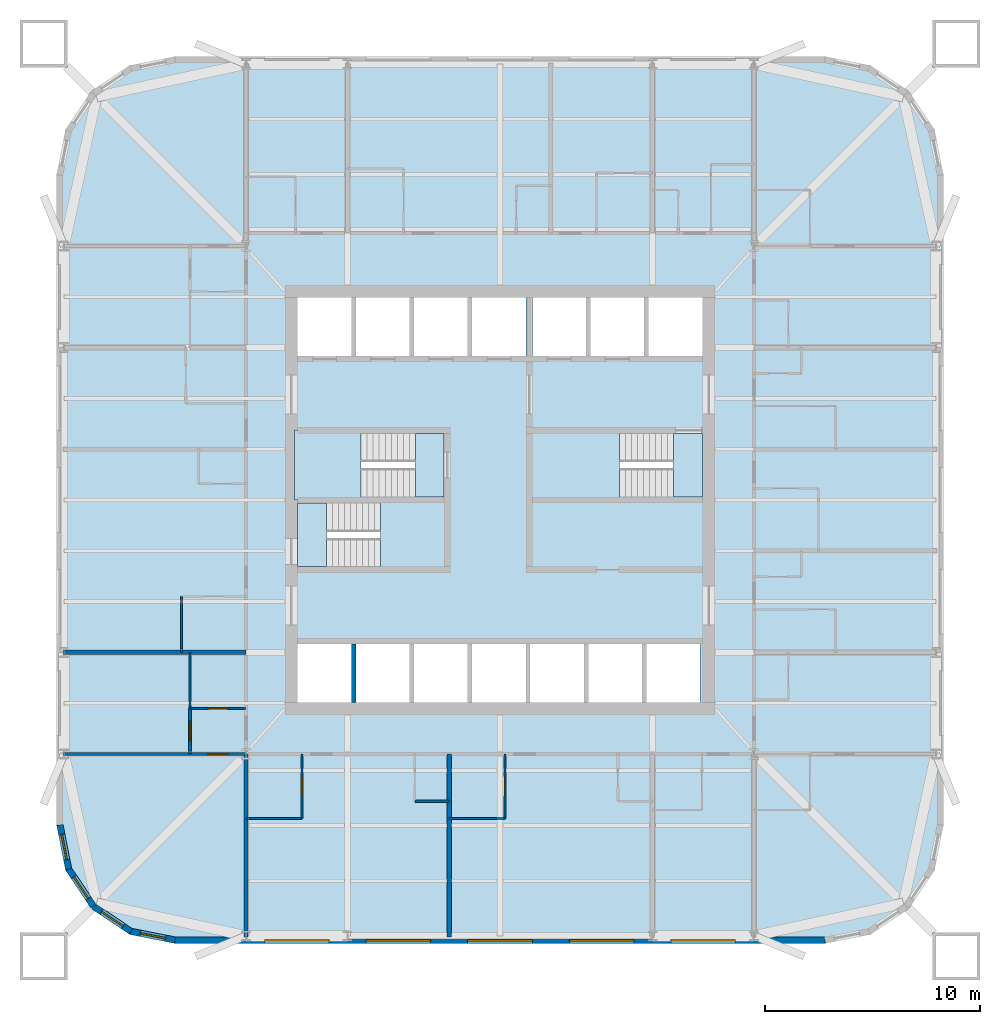
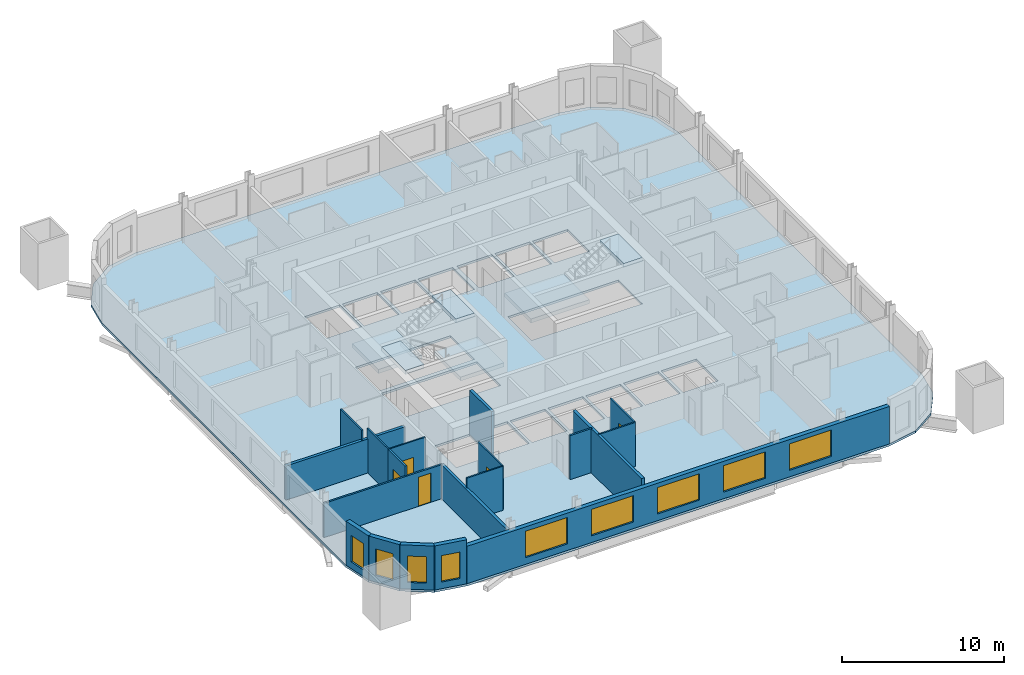
# One storey, part 2 of 8: 19 walls, 9 windows, 7 slabs, 5 doors, 14 openings, 3 elements without a shape of their own.
"""IFC4 building model written with IfcOpenShell, lengths in metres."""

from ifc_helpers import new_model, si_unit, direction, frame, frame_2d, origin, place, context, subcontext, project, spatial, polyline, rectangle, outline, extrude, material, layer, layer_set, type_object, element, fill, aggregate, save


model = new_model("IFC4")

# Units and contexts
model_context = context("Model", 3, precision=1e-05, world=origin(), true_north=direction((0.0, 1.0)))
body_context = subcontext(model_context, "Body", "Model", "MODEL_VIEW")
ifc_project = project(units=[si_unit("LENGTHUNIT", "METRE"), si_unit("AREAUNIT", "SQUARE_METRE"), si_unit("VOLUMEUNIT", "CUBIC_METRE"), si_unit("PLANEANGLEUNIT", "RADIAN"), si_unit("MASSUNIT", "GRAM", prefix="KILO")], contexts=[model_context])

# Site, building, storey
site_placement = place(None, origin())
site = spatial("IfcSite", under=ifc_project, at=site_placement, CompositionType="ELEMENT")
building_placement = place(site_placement, origin())
building = spatial("IfcBuilding", under=site, at=building_placement, Name="Turquesa Mirador Hotel Tower", CompositionType="ELEMENT")
storey_placement = place(building_placement, frame((0.0, 0.0, 103.89990234375)))
storey = spatial("IfcBuildingStorey", under=building, at=storey_placement, Name="L27", CompositionType="ELEMENT", Elevation=103.89990234375)

# Slab
ifc_material_1 = material(Name="Concrete C28/35", Category="concrete")
ifc_layer_1 = layer(ifc_material_1, 0.169921875)
ifc_layer_set_1 = layer_set([ifc_layer_1], Name="COMPOSITE FLOOR SLAB 170")
slab_type_1 = type_object("IfcSlabType", Name="COMPOSITE FLOOR SLAB 170", PredefinedType="FLOOR", material=ifc_layer_set_1)
slab_1_placement = place(storey_placement, frame((0.0, 0.0, -0.169921875)))
element("IfcSlab", 1, at=slab_1_placement, inside=storey, type_object=slab_type_1, Name="Floor slab L27", PredefinedType="FLOOR", context=body_context, shape_type="SweptSolid", body=[
    extrude(outline(polyline([(70.10009765625, 24.39990234375), (72.204833984375, 24.818603515625), (73.989013671875, 26.010986328125), (75.181396484375, 27.795166015625), (75.60009765625, 29.89990234375), (75.60009765625, 60.10009765625), (75.181396484375, 62.204833984375), (73.989013671875, 63.989013671875), (72.204833984375, 65.181396484375), (70.10009765625, 65.60009765625), (39.89990234375, 65.60009765625), (37.795166015625, 65.181396484375), (36.010986328125, 63.989013671875), (34.818603515625, 62.204833984375), (34.39990234375, 60.10009765625), (34.39990234375, 29.89990234375), (34.818603515625, 27.795166015625), (36.010986328125, 26.010986328125), (37.795166015625, 24.818603515625), (39.89990234375, 24.39990234375), (70.10009765625, 24.39990234375)]), holes=[polyline([(45.60009765625, 51.699951171875), (48.10009765625, 51.699951171875), (48.10009765625, 54.39990234375), (45.60009765625, 54.39990234375), (45.60009765625, 51.699951171875)]), polyline([(48.300048828125, 51.699951171875), (50.800048828125, 51.699951171875), (50.800048828125, 54.39990234375), (48.300048828125, 54.39990234375), (48.300048828125, 51.699951171875)]), polyline([(51.0, 51.699951171875), (53.5, 51.699951171875), (53.5, 54.39990234375), (51.0, 54.39990234375), (51.0, 51.699951171875)]), polyline([(53.699951171875, 51.699951171875), (56.199951171875, 51.699951171875), (56.199951171875, 54.39990234375), (53.699951171875, 54.39990234375), (53.699951171875, 51.699951171875)]), polyline([(56.5, 51.699951171875), (59.0, 51.699951171875), (59.0, 54.39990234375), (56.5, 54.39990234375), (56.5, 51.699951171875)]), polyline([(59.199951171875, 51.699951171875), (61.699951171875, 51.699951171875), (61.699951171875, 54.39990234375), (59.199951171875, 54.39990234375), (59.199951171875, 51.699951171875)]), polyline([(45.60009765625, 35.60009765625), (48.10009765625, 35.60009765625), (48.10009765625, 38.300048828125), (45.60009765625, 38.300048828125), (45.60009765625, 35.60009765625)]), polyline([(48.300048828125, 35.60009765625), (50.800048828125, 35.60009765625), (50.800048828125, 38.300048828125), (48.300048828125, 38.300048828125), (48.300048828125, 35.60009765625)]), polyline([(51.0, 35.60009765625), (53.5, 35.60009765625), (53.5, 38.300048828125), (51.0, 38.300048828125), (51.0, 35.60009765625)]), polyline([(53.699951171875, 35.60009765625), (56.199951171875, 35.60009765625), (56.199951171875, 38.300048828125), (53.699951171875, 38.300048828125), (53.699951171875, 35.60009765625)]), polyline([(56.39990234375, 35.60009765625), (58.89990234375, 35.60009765625), (58.89990234375, 38.300048828125), (56.39990234375, 38.300048828125), (56.39990234375, 35.60009765625)]), polyline([(59.10009765625, 35.60009765625), (61.60009765625, 35.60009765625), (61.60009765625, 38.300048828125), (59.10009765625, 38.300048828125), (59.10009765625, 35.60009765625)]), polyline([(61.800048828125, 35.60009765625), (64.300048828125, 35.60009765625), (64.300048828125, 38.300048828125), (61.800048828125, 38.300048828125), (61.800048828125, 35.60009765625)]), polyline([(45.60009765625, 45.14990234375), (52.39990234375, 45.14990234375), (52.39990234375, 48.10009765625), (45.60009765625, 48.10009765625), (45.60009765625, 45.14990234375)]), polyline([(45.60009765625, 41.89990234375), (52.39990234375, 41.89990234375), (52.39990234375, 44.85009765625), (45.60009765625, 44.85009765625), (45.60009765625, 41.89990234375)]), polyline([(56.5, 45.14990234375), (64.39990234375, 45.14990234375), (64.39990234375, 48.10009765625), (56.5, 48.10009765625), (56.5, 45.14990234375)]), polyline([(61.89990234375, 51.699951171875), (64.39990234375, 51.699951171875), (64.39990234375, 54.39990234375), (61.89990234375, 54.39990234375), (61.89990234375, 51.699951171875)])]), origin(), (0.0, 0.0, 1.0), 0.169921875),
])

# Stair, slabs
ifc_material_2 = material(Name="Concrete C35/45", Category="concrete")
stair_type = type_object("IfcStairType", Name="ESCAPE STAIR CORE", PredefinedType="HALF_TURN_STAIR", material=ifc_material_2)
stair_1_placement = place(storey_placement, origin())
stair_1 = element("IfcStair", 2, at=stair_1_placement, inside=storey, type_object=stair_type, Name="Stair ST1 L27 to L28", PredefinedType="HALF_TURN_STAIR")
ifc_material_3 = material(Name="Concrete C35/45", Category="concrete")
ifc_layer_2 = layer(ifc_material_3, 0.300048828125)
ifc_layer_set_2 = layer_set([ifc_layer_2], Name="STAIR LANDING 300")
slab_type_2 = type_object("IfcSlabType", Name="STAIR LANDING 300", PredefinedType="LANDING", material=ifc_layer_set_2)
slab_2_placement = place(storey_placement, frame((0.0, 0.0, 1.4501953125)))
slab_2 = element("IfcSlab", 3, at=slab_2_placement, type_object=slab_type_2, Name="ST1 landing 1", PredefinedType="LANDING", context=body_context, shape_type="SweptSolid", body=[
    extrude(outline(polyline([(45.449951171875, 45.0), (48.550048828125, 45.0), (48.550048828125, 48.25), (45.449951171875, 48.25), (45.449951171875, 45.0)])), origin(), (0.0, 0.0, 1.0), 0.2998046875),
])
slab_3_placement = place(storey_placement, frame((0.0, 0.0, 3.2001953125)))
slab_3 = element("IfcSlab", 4, at=slab_3_placement, type_object=slab_type_2, Name="ST1 landing 2", PredefinedType="LANDING", context=body_context, shape_type="SweptSolid", body=[
    extrude(outline(polyline([(51.070068359375, 45.14990234375), (52.39990234375, 45.14990234375), (52.39990234375, 48.10009765625), (51.070068359375, 48.10009765625), (51.070068359375, 45.14990234375)])), origin(), (0.0, 0.0, 1.0), 0.2998046875),
])
aggregate(stair_1, [slab_2, slab_3])

stair_2_placement = place(storey_placement, origin())
stair_2 = element("IfcStair", 5, at=stair_2_placement, inside=storey, type_object=stair_type, Name="Stair ST2 L27 to L28", PredefinedType="HALF_TURN_STAIR")
slab_4_placement = place(storey_placement, frame((0.0, 0.0, 1.4501953125)))
slab_4 = element("IfcSlab", 6, at=slab_4_placement, type_object=slab_type_2, Name="ST2 landing 1", PredefinedType="LANDING", context=body_context, shape_type="SweptSolid", body=[
    extrude(outline(polyline([(52.550048828125, 45.0), (49.449951171875, 45.0), (49.449951171875, 41.75), (52.550048828125, 41.75), (52.550048828125, 45.0)])), origin(), (0.0, 0.0, 1.0), 0.2998046875),
])
slab_5_placement = place(storey_placement, frame((0.0, 0.0, 3.2001953125)))
slab_5 = element("IfcSlab", 7, at=slab_5_placement, type_object=slab_type_2, Name="ST2 landing 2", PredefinedType="LANDING", context=body_context, shape_type="SweptSolid", body=[
    extrude(outline(polyline([(46.929931640625, 44.85009765625), (45.60009765625, 44.85009765625), (45.60009765625, 41.89990234375), (46.929931640625, 41.89990234375), (46.929931640625, 44.85009765625)])), origin(), (0.0, 0.0, 1.0), 0.2998046875),
])
aggregate(stair_2, [slab_4, slab_5])

stair_3_placement = place(storey_placement, origin())
stair_3 = element("IfcStair", 8, at=stair_3_placement, inside=storey, type_object=stair_type, Name="Stair ST3 L27 to L28", PredefinedType="HALF_TURN_STAIR")
slab_6_placement = place(storey_placement, frame((0.0, 0.0, 1.4501953125)))
slab_6 = element("IfcSlab", 9, at=slab_6_placement, type_object=slab_type_2, Name="ST3 landing 1", PredefinedType="LANDING", context=body_context, shape_type="SweptSolid", body=[
    extrude(outline(polyline([(56.35009765625, 45.0), (60.550048828125, 45.0), (60.550048828125, 48.25), (56.35009765625, 48.25), (56.35009765625, 45.0)])), origin(), (0.0, 0.0, 1.0), 0.2998046875),
])
slab_7_placement = place(storey_placement, frame((0.0, 0.0, 3.2001953125)))
slab_7 = element("IfcSlab", 10, at=slab_7_placement, type_object=slab_type_2, Name="ST3 landing 2", PredefinedType="LANDING", context=body_context, shape_type="SweptSolid", body=[
    extrude(outline(polyline([(63.070068359375, 45.14990234375), (64.39990234375, 45.14990234375), (64.39990234375, 48.10009765625), (63.070068359375, 48.10009765625), (63.070068359375, 45.14990234375)])), origin(), (0.0, 0.0, 1.0), 0.2998046875),
])
aggregate(stair_3, [slab_6, slab_7])

# Walls
ifc_material_4 = material(Name="Gypsum board on steel studs", Category="steel")
ifc_layer_3 = layer(ifc_material_4, 0.10009765625)
ifc_layer_set_3 = layer_set([ifc_layer_3], Name="BATHROOM WALL 100")
wall_type_1 = type_object("IfcWallType", Name="BATHROOM WALL 100", PredefinedType="PARTITIONING", material=ifc_layer_set_3)
for number, where, z_axis, x_axis, name in (
    (11, (43.199951171875, 30.199951171875, 0.0), (0.0, 0.0, 1.0), (1.0, 0.0, 0.0), "Partition L27 009"),
    (12, (52.639892578125, 30.199951171875, 0.0), (0.0, 0.0, 1.0), (1.0, 0.0, 0.0), "Partition L27 010"),
):
    element("IfcWall", number, at=place(storey_placement, frame(where, z_axis=z_axis, x_axis=x_axis)), inside=storey, type_object=wall_type_1, Name=name, PredefinedType="PARTITIONING", context=body_context, shape_type="SweptSolid", body=[
        extrude(rectangle(XDim=2.60009765625, YDim=0.10009765625, at=frame_2d((1.300048828125, 0.0))), origin(), (0.0, 0.0, 1.0), 3.330078125),
    ])

# Wall, opening, door
wall_1_placement = place(storey_placement, frame((40.60009765625, 35.320068359375, 0.0), z_axis=(0.0, 0.0, 1.0), x_axis=(1.0, 0.0, 0.0)))
wall_1 = element("IfcWall", 13, at=wall_1_placement, inside=storey, type_object=wall_type_1, Name="Partition L27 018", PredefinedType="PARTITIONING", context=body_context, shape_type="SweptSolid", body=[
    extrude(rectangle(XDim=2.599853515625, YDim=0.10009765625, at=frame_2d((1.2998046875, 0.0))), origin(), (0.0, 0.0, 1.0), 3.330078125),
])
opening_1_placement = place(wall_1_placement, frame((0.85009765625, 0.0, 0.0)))
opening_1 = element("IfcOpeningElement", 14, at=opening_1_placement, cuts=wall_1, Name="Opening D02", PredefinedType="OPENING", context=body_context, shape_type="SweptSolid", body=[
    extrude(rectangle(XDim=0.89990234375, YDim=2.10009765625, at=frame_2d((0.449951171875, 1.050048828125))), frame((0.0, 0.06005859375, 0.0), z_axis=(0.0, -1.0, 0.0), x_axis=(1.0, 0.0, 0.0)), (0.0, 0.0, 1.0), 0.1201171875),
])
ifc_material_5 = material(Name="Timber veneered door", Category="wood")
door_type_1 = type_object("IfcDoorType", Name="DOOR 900X2100 EN-SUITE", OperationType="SINGLE_SWING_RIGHT", PredefinedType="DOOR", material=ifc_material_5)
door_1_placement = place(opening_1_placement, origin())
door_1 = element("IfcDoor", 15, at=door_1_placement, inside=storey, type_object=door_type_1, Name="Door 2715B", OperationType="SINGLE_SWING_RIGHT", OverallHeight=2.10009765625, OverallWidth=0.89990234375, PredefinedType="DOOR", context=body_context, shape_type="SweptSolid", body=[
    extrude(rectangle(XDim=0.89990234375, YDim=2.10009765625, at=frame_2d((0.449951171875, 1.050048828125))), frame((0.0, 0.02490234375, 0.0), z_axis=(0.0, -1.0, 0.0), x_axis=(1.0, 0.0, 0.0)), (0.0, 0.0, 1.0), 0.050048828125),
])
fill(opening_1, door_1)

# Walls
wall_2_placement = place(storey_placement, frame((40.60009765625, 35.320068359375, 0.0), z_axis=(0.0, 0.0, 1.0), x_axis=(0.0, 1.0, 0.0)))
element("IfcWall", 16, at=wall_2_placement, inside=storey, type_object=wall_type_1, Name="Partition L27 046", PredefinedType="PARTITIONING", context=body_context, shape_type="SweptSolid", body=[
    extrude(rectangle(XDim=2.599853515625, YDim=0.10009765625, at=frame_2d((1.2998046875, 0.0))), origin(), (0.0, 0.0, 1.0), 3.330078125),
])
wall_3_placement = place(storey_placement, frame((40.199951171875, 37.919921875, 0.0), z_axis=(0.0, 0.0, 1.0), x_axis=(0.0, 1.0, 0.0)))
element("IfcWall", 17, at=wall_3_placement, inside=storey, type_object=wall_type_1, Name="Partition L27 051", PredefinedType="PARTITIONING", context=body_context, shape_type="SweptSolid", body=[
    extrude(rectangle(XDim=2.60009765625, YDim=0.10009765625, at=frame_2d((1.300048828125, 0.0))), origin(), (0.0, 0.0, 1.0), 3.330078125),
])

# Wall, opening, door
wall_4_placement = place(storey_placement, frame((45.800048828125, 30.199951171875, 0.0), z_axis=(0.0, 0.0, 1.0), x_axis=(0.0, 1.0, 0.0)))
wall_4 = element("IfcWall", 18, at=wall_4_placement, inside=storey, type_object=wall_type_1, Name="Partition L27 056", PredefinedType="PARTITIONING", context=body_context, shape_type="SweptSolid", body=[
    extrude(rectangle(XDim=3.0, YDim=0.10009765625, at=frame_2d((1.5, 0.0))), origin(), (0.0, 0.0, 1.0), 3.330078125),
])
opening_2_placement = place(wall_4_placement, frame((1.050048828125, 0.0, 0.0)))
opening_2 = element("IfcOpeningElement", 19, at=opening_2_placement, cuts=wall_4, Name="Opening D02", PredefinedType="OPENING", context=body_context, shape_type="SweptSolid", body=[
    extrude(rectangle(XDim=0.89990234375, YDim=2.10009765625, at=frame_2d((0.449951171875, 1.050048828125))), frame((0.0, 0.06005859375, 0.0), z_axis=(0.0, -1.0, 0.0), x_axis=(1.0, 0.0, 0.0)), (0.0, 0.0, 1.0), 0.1201171875),
])
door_2_placement = place(opening_2_placement, origin())
door_2 = element("IfcDoor", 20, at=door_2_placement, inside=storey, type_object=door_type_1, Name="Door 2705B", OperationType="SINGLE_SWING_RIGHT", OverallHeight=2.10009765625, OverallWidth=0.89990234375, PredefinedType="DOOR", context=body_context, shape_type="SweptSolid", body=[
    extrude(rectangle(XDim=0.89990234375, YDim=2.10009765625, at=frame_2d((0.449951171875, 1.050048828125))), frame((0.0, 0.02490234375, 0.0), z_axis=(0.0, -1.0, 0.0), x_axis=(1.0, 0.0, 0.0)), (0.0, 0.0, 1.0), 0.050048828125),
])
fill(opening_2, door_2)

wall_5_placement = place(storey_placement, frame((55.239990234375, 30.199951171875, 0.0), z_axis=(0.0, 0.0, 1.0), x_axis=(0.0, 1.0, 0.0)))
wall_5 = element("IfcWall", 21, at=wall_5_placement, inside=storey, type_object=wall_type_1, Name="Partition L27 058", PredefinedType="PARTITIONING", context=body_context, shape_type="SweptSolid", body=[
    extrude(rectangle(XDim=3.0, YDim=0.10009765625, at=frame_2d((1.5, 0.0))), origin(), (0.0, 0.0, 1.0), 3.330078125),
])
opening_3_placement = place(wall_5_placement, frame((1.050048828125, 0.0, 0.0)))
opening_3 = element("IfcOpeningElement", 22, at=opening_3_placement, cuts=wall_5, Name="Opening D02", PredefinedType="OPENING", context=body_context, shape_type="SweptSolid", body=[
    extrude(rectangle(XDim=0.89990234375, YDim=2.10009765625, at=frame_2d((0.449951171875, 1.050048828125))), frame((0.0, 0.06005859375, 0.0), z_axis=(0.0, -1.0, 0.0), x_axis=(1.0, 0.0, 0.0)), (0.0, 0.0, 1.0), 0.1201171875),
])
door_3_placement = place(opening_3_placement, origin())
door_3 = element("IfcDoor", 23, at=door_3_placement, inside=storey, type_object=door_type_1, Name="Door 2706B", OperationType="SINGLE_SWING_RIGHT", OverallHeight=2.10009765625, OverallWidth=0.89990234375, PredefinedType="DOOR", context=body_context, shape_type="SweptSolid", body=[
    extrude(rectangle(XDim=0.89990234375, YDim=2.10009765625, at=frame_2d((0.449951171875, 1.050048828125))), frame((0.0, 0.02490234375, 0.0), z_axis=(0.0, -1.0, 0.0), x_axis=(1.0, 0.0, 0.0)), (0.0, 0.0, 1.0), 0.050048828125),
])
fill(opening_3, door_3)

# Wall, opening, window
ifc_material_6 = material(Name="Limestone cladding on concrete block", Category="masonry")
ifc_layer_4 = layer(ifc_material_6, 0.300048828125)
ifc_layer_set_4 = layer_set([ifc_layer_4], Name="FACADE WALL 300 STONE SCREEN")
wall_type_2 = type_object("IfcWallType", Name="FACADE WALL 300 STONE SCREEN", PredefinedType="SOLIDWALL", material=ifc_layer_set_4)
wall_6_placement = place(storey_placement, frame((34.550048828125, 29.89990234375, 0.0), z_axis=(0.0, 0.0, 1.0), x_axis=(0.195081421501, -0.980787050784, 0.0)))
wall_6 = element("IfcWall", 24, at=wall_6_placement, inside=storey, type_object=wall_type_2, Name="Facade wall L27 15", PredefinedType="SOLIDWALL", context=body_context, shape_type="SweptSolid", body=[
    extrude(rectangle(XDim=2.08740234375, YDim=0.300048828125, at=frame_2d((1.043701171875, 0.0))), origin(), (0.0, 0.0, 1.0), 3.330078125),
])
opening_4_placement = place(wall_6_placement, frame((0.443603515625, 0.0, 0.5)))
opening_4 = element("IfcOpeningElement", 25, at=opening_4_placement, cuts=wall_6, Name="Opening WN4", PredefinedType="OPENING", context=body_context, shape_type="SweptSolid", body=[
    extrude(rectangle(XDim=1.199951171875, YDim=2.0, at=frame_2d((0.60009765625, 1.0))), frame((0.0, 0.159912109375, 0.0), z_axis=(0.0, -1.0, 0.0), x_axis=(1.0, 0.0, 0.0)), (0.0, 0.0, 1.0), 0.320068359375),
])
ifc_material_7 = material(Name="Ceramic-fritted laminated glass", Category="glass")
window_type_1 = type_object("IfcWindowType", Name="FRITTED CORNER WINDOW 1200X2000", PartitioningType="DOUBLE_PANEL_HORIZONTAL", PredefinedType="WINDOW", material=ifc_material_7)
window_1_placement = place(opening_4_placement, origin())
window_1 = element("IfcWindow", 26, at=window_1_placement, inside=storey, type_object=window_type_1, Name="Window L27", OverallHeight=2.0, OverallWidth=1.199951171875, PartitioningType="SINGLE_PANEL", PredefinedType="WINDOW", context=body_context, shape_type="SweptSolid", body=[
    extrude(rectangle(XDim=1.199951171875, YDim=2.0, at=frame_2d((0.60009765625, 1.0))), frame((0.0, 0.030029296875, 0.0), z_axis=(0.0, -1.0, 0.0), x_axis=(1.0, 0.0, 0.0)), (0.0, 0.0, 1.0), 0.06005859375),
])
fill(opening_4, window_1)

wall_7_placement = place(storey_placement, frame((34.957275390625, 27.8525390625, 0.0), z_axis=(0.0, 0.0, 1.0), x_axis=(0.555563607591, -0.831474039234, 0.0)))
wall_7 = element("IfcWall", 27, at=wall_7_placement, inside=storey, type_object=wall_type_2, Name="Facade wall L27 16", PredefinedType="SOLIDWALL", context=body_context, shape_type="SweptSolid", body=[
    extrude(rectangle(XDim=2.08740234375, YDim=0.300048828125, at=frame_2d((1.043701171875, 0.0))), origin(), (0.0, 0.0, 1.0), 3.330078125),
])
opening_5_placement = place(wall_7_placement, frame((0.443603515625, 0.0, 0.5)))
opening_5 = element("IfcOpeningElement", 28, at=opening_5_placement, cuts=wall_7, Name="Opening WN4", PredefinedType="OPENING", context=body_context, shape_type="SweptSolid", body=[
    extrude(rectangle(XDim=1.199951171875, YDim=2.0, at=frame_2d((0.60009765625, 1.0))), frame((0.0, 0.159912109375, 0.0), z_axis=(0.0, -1.0, 0.0), x_axis=(1.0, 0.0, 0.0)), (0.0, 0.0, 1.0), 0.320068359375),
])
window_2_placement = place(opening_5_placement, origin())
window_2 = element("IfcWindow", 29, at=window_2_placement, inside=storey, type_object=window_type_1, Name="Window L27", OverallHeight=2.0, OverallWidth=1.199951171875, PartitioningType="SINGLE_PANEL", PredefinedType="WINDOW", context=body_context, shape_type="SweptSolid", body=[
    extrude(rectangle(XDim=1.199951171875, YDim=2.0, at=frame_2d((0.60009765625, 1.0))), frame((0.0, 0.030029296875, 0.0), z_axis=(0.0, -1.0, 0.0), x_axis=(1.0, 0.0, 0.0)), (0.0, 0.0, 1.0), 0.06005859375),
])
fill(opening_5, window_2)

wall_8_placement = place(storey_placement, frame((36.116943359375, 26.116943359375, 0.0), z_axis=(0.0, 0.0, 1.0), x_axis=(0.831474039234, -0.555563607591, 0.0)))
wall_8 = element("IfcWall", 30, at=wall_8_placement, inside=storey, type_object=wall_type_2, Name="Facade wall L27 17", PredefinedType="SOLIDWALL", context=body_context, shape_type="SweptSolid", body=[
    extrude(rectangle(XDim=2.08740234375, YDim=0.300048828125, at=frame_2d((1.043701171875, 0.0))), origin(), (0.0, 0.0, 1.0), 3.330078125),
])
opening_6_placement = place(wall_8_placement, frame((0.443603515625, 0.0, 0.5)))
opening_6 = element("IfcOpeningElement", 31, at=opening_6_placement, cuts=wall_8, Name="Opening WN4", PredefinedType="OPENING", context=body_context, shape_type="SweptSolid", body=[
    extrude(rectangle(XDim=1.199951171875, YDim=2.0, at=frame_2d((0.60009765625, 1.0))), frame((0.0, 0.159912109375, 0.0), z_axis=(0.0, -1.0, 0.0), x_axis=(1.0, 0.0, 0.0)), (0.0, 0.0, 1.0), 0.320068359375),
])
window_3_placement = place(opening_6_placement, origin())
window_3 = element("IfcWindow", 32, at=window_3_placement, inside=storey, type_object=window_type_1, Name="Window L27", OverallHeight=2.0, OverallWidth=1.199951171875, PartitioningType="SINGLE_PANEL", PredefinedType="WINDOW", context=body_context, shape_type="SweptSolid", body=[
    extrude(rectangle(XDim=1.199951171875, YDim=2.0, at=frame_2d((0.60009765625, 1.0))), frame((0.0, 0.030029296875, 0.0), z_axis=(0.0, -1.0, 0.0), x_axis=(1.0, 0.0, 0.0)), (0.0, 0.0, 1.0), 0.06005859375),
])
fill(opening_6, window_3)

wall_9_placement = place(storey_placement, frame((37.8525390625, 24.957275390625, 0.0), z_axis=(0.0, 0.0, 1.0), x_axis=(0.980787050784, -0.195081421501, 0.0)))
wall_9 = element("IfcWall", 33, at=wall_9_placement, inside=storey, type_object=wall_type_2, Name="Facade wall L27 18", PredefinedType="SOLIDWALL", context=body_context, shape_type="SweptSolid", body=[
    extrude(rectangle(XDim=2.08740234375, YDim=0.300048828125, at=frame_2d((1.043701171875, 0.0))), origin(), (0.0, 0.0, 1.0), 3.330078125),
])
opening_7_placement = place(wall_9_placement, frame((0.443603515625, 0.0, 0.5)))
opening_7 = element("IfcOpeningElement", 34, at=opening_7_placement, cuts=wall_9, Name="Opening WN4", PredefinedType="OPENING", context=body_context, shape_type="SweptSolid", body=[
    extrude(rectangle(XDim=1.199951171875, YDim=2.0, at=frame_2d((0.60009765625, 1.0))), frame((0.0, 0.159912109375, 0.0), z_axis=(0.0, -1.0, 0.0), x_axis=(1.0, 0.0, 0.0)), (0.0, 0.0, 1.0), 0.320068359375),
])
window_4_placement = place(opening_7_placement, origin())
window_4 = element("IfcWindow", 35, at=window_4_placement, inside=storey, type_object=window_type_1, Name="Window L27", OverallHeight=2.0, OverallWidth=1.199951171875, PartitioningType="SINGLE_PANEL", PredefinedType="WINDOW", context=body_context, shape_type="SweptSolid", body=[
    extrude(rectangle(XDim=1.199951171875, YDim=2.0, at=frame_2d((0.60009765625, 1.0))), frame((0.0, 0.030029296875, 0.0), z_axis=(0.0, -1.0, 0.0), x_axis=(1.0, 0.0, 0.0)), (0.0, 0.0, 1.0), 0.06005859375),
])
fill(opening_7, window_4)

# Wall, openings, windows
wall_10_placement = place(storey_placement, frame((39.89990234375, 24.550048828125, 0.0), z_axis=(0.0, 0.0, 1.0), x_axis=(1.0, 0.0, 0.0)))
wall_10 = element("IfcWall", 36, at=wall_10_placement, inside=storey, type_object=wall_type_2, Name="Facade wall L27 19", PredefinedType="SOLIDWALL", context=body_context, shape_type="SweptSolid", body=[
    extrude(rectangle(XDim=30.2001953125, YDim=0.300048828125, at=frame_2d((15.10009765625, 0.0))), origin(), (0.0, 0.0, 1.0), 2.830078125),
])
opening_8_placement = place(wall_10_placement, frame((4.159912109375, 0.0, 0.5)))
opening_8 = element("IfcOpeningElement", 37, at=opening_8_placement, cuts=wall_10, Name="Opening WN1", PredefinedType="OPENING", context=body_context, shape_type="SweptSolid", body=[
    extrude(rectangle(XDim=3.0, YDim=2.0, at=frame_2d((1.5, 1.0))), frame((0.0, 0.159912109375, 0.0), z_axis=(0.0, -1.0, 0.0), x_axis=(1.0, 0.0, 0.0)), (0.0, 0.0, 1.0), 0.320068359375),
])
opening_9_placement = place(wall_10_placement, frame((8.8798828125, 0.0, 0.5)))
opening_9 = element("IfcOpeningElement", 38, at=opening_9_placement, cuts=wall_10, Name="Opening WN1", PredefinedType="OPENING", context=body_context, shape_type="SweptSolid", body=[
    extrude(rectangle(XDim=3.0, YDim=2.0, at=frame_2d((1.5, 1.0))), frame((0.0, 0.159912109375, 0.0), z_axis=(0.0, -1.0, 0.0), x_axis=(1.0, 0.0, 0.0)), (0.0, 0.0, 1.0), 0.320068359375),
])
opening_10_placement = place(wall_10_placement, frame((13.60009765625, 0.0, 0.5)))
opening_10 = element("IfcOpeningElement", 39, at=opening_10_placement, cuts=wall_10, Name="Opening WN1", PredefinedType="OPENING", context=body_context, shape_type="SweptSolid", body=[
    extrude(rectangle(XDim=3.0, YDim=2.0, at=frame_2d((1.5, 1.0))), frame((0.0, 0.159912109375, 0.0), z_axis=(0.0, -1.0, 0.0), x_axis=(1.0, 0.0, 0.0)), (0.0, 0.0, 1.0), 0.320068359375),
])
opening_11_placement = place(wall_10_placement, frame((18.320068359375, 0.0, 0.5)))
opening_11 = element("IfcOpeningElement", 40, at=opening_11_placement, cuts=wall_10, Name="Opening WN1", PredefinedType="OPENING", context=body_context, shape_type="SweptSolid", body=[
    extrude(rectangle(XDim=3.0, YDim=2.0, at=frame_2d((1.5, 1.0))), frame((0.0, 0.159912109375, 0.0), z_axis=(0.0, -1.0, 0.0), x_axis=(1.0, 0.0, 0.0)), (0.0, 0.0, 1.0), 0.320068359375),
])
opening_12_placement = place(wall_10_placement, frame((23.0400390625, 0.0, 0.5)))
opening_12 = element("IfcOpeningElement", 41, at=opening_12_placement, cuts=wall_10, Name="Opening WN1", PredefinedType="OPENING", context=body_context, shape_type="SweptSolid", body=[
    extrude(rectangle(XDim=3.0, YDim=2.0, at=frame_2d((1.5, 1.0))), frame((0.0, 0.159912109375, 0.0), z_axis=(0.0, -1.0, 0.0), x_axis=(1.0, 0.0, 0.0)), (0.0, 0.0, 1.0), 0.320068359375),
])
ifc_material_8 = material(Name="Ceramic-fritted laminated glass", Category="glass")
window_type_2 = type_object("IfcWindowType", Name="FRITTED WINDOW 3000X2000", PartitioningType="DOUBLE_PANEL_HORIZONTAL", PredefinedType="WINDOW", material=ifc_material_8)
window_5_placement = place(opening_8_placement, origin())
window_5 = element("IfcWindow", 42, at=window_5_placement, inside=storey, type_object=window_type_2, Name="Window L27", OverallHeight=2.0, OverallWidth=3.0, PartitioningType="SINGLE_PANEL", PredefinedType="WINDOW", context=body_context, shape_type="SweptSolid", body=[
    extrude(rectangle(XDim=3.0, YDim=2.0, at=frame_2d((1.5, 1.0))), frame((0.0, 0.030029296875, 0.0), z_axis=(0.0, -1.0, 0.0), x_axis=(1.0, 0.0, 0.0)), (0.0, 0.0, 1.0), 0.06005859375),
])
fill(opening_8, window_5)
window_6_placement = place(opening_9_placement, origin())
window_6 = element("IfcWindow", 43, at=window_6_placement, inside=storey, type_object=window_type_2, Name="Window L27", OverallHeight=2.0, OverallWidth=3.0, PartitioningType="SINGLE_PANEL", PredefinedType="WINDOW", context=body_context, shape_type="SweptSolid", body=[
    extrude(rectangle(XDim=3.0, YDim=2.0, at=frame_2d((1.5, 1.0))), frame((0.0, 0.030029296875, 0.0), z_axis=(0.0, -1.0, 0.0), x_axis=(1.0, 0.0, 0.0)), (0.0, 0.0, 1.0), 0.06005859375),
])
fill(opening_9, window_6)
window_7_placement = place(opening_10_placement, origin())
window_7 = element("IfcWindow", 44, at=window_7_placement, inside=storey, type_object=window_type_2, Name="Window L27", OverallHeight=2.0, OverallWidth=3.0, PartitioningType="SINGLE_PANEL", PredefinedType="WINDOW", context=body_context, shape_type="SweptSolid", body=[
    extrude(rectangle(XDim=3.0, YDim=2.0, at=frame_2d((1.5, 1.0))), frame((0.0, 0.030029296875, 0.0), z_axis=(0.0, -1.0, 0.0), x_axis=(1.0, 0.0, 0.0)), (0.0, 0.0, 1.0), 0.06005859375),
])
fill(opening_10, window_7)
window_8_placement = place(opening_11_placement, origin())
window_8 = element("IfcWindow", 45, at=window_8_placement, inside=storey, type_object=window_type_2, Name="Window L27", OverallHeight=2.0, OverallWidth=3.0, PartitioningType="SINGLE_PANEL", PredefinedType="WINDOW", context=body_context, shape_type="SweptSolid", body=[
    extrude(rectangle(XDim=3.0, YDim=2.0, at=frame_2d((1.5, 1.0))), frame((0.0, 0.030029296875, 0.0), z_axis=(0.0, -1.0, 0.0), x_axis=(1.0, 0.0, 0.0)), (0.0, 0.0, 1.0), 0.06005859375),
])
fill(opening_11, window_8)
window_9_placement = place(opening_12_placement, origin())
window_9 = element("IfcWindow", 46, at=window_9_placement, inside=storey, type_object=window_type_2, Name="Window L27", OverallHeight=2.0, OverallWidth=3.0, PartitioningType="SINGLE_PANEL", PredefinedType="WINDOW", context=body_context, shape_type="SweptSolid", body=[
    extrude(rectangle(XDim=3.0, YDim=2.0, at=frame_2d((1.5, 1.0))), frame((0.0, 0.030029296875, 0.0), z_axis=(0.0, -1.0, 0.0), x_axis=(1.0, 0.0, 0.0)), (0.0, 0.0, 1.0), 0.06005859375),
])
fill(opening_12, window_9)

# Walls
ifc_material_9 = material(Name="Fire-rated gypsum shaft wall on steel studs", Category="steel")
ifc_layer_5 = layer(ifc_material_9, 0.199951171875)
ifc_layer_set_5 = layer_set([ifc_layer_5], Name="LIFT SHAFT DIVIDER 200")
wall_type_3 = type_object("IfcWallType", Name="LIFT SHAFT DIVIDER 200", PredefinedType="PARTITIONING", material=ifc_layer_set_5)
wall_11_placement = place(storey_placement, frame((48.199951171875, 35.60009765625, 0.0), z_axis=(0.0, 0.0, 1.0), x_axis=(0.0, 1.0, 0.0)))
element("IfcWall", 47, at=wall_11_placement, inside=storey, type_object=wall_type_3, Name="Lift shaft divider", PredefinedType="PARTITIONING", context=body_context, shape_type="SweptSolid", body=[
    extrude(rectangle(XDim=2.699951171875, YDim=0.199951171875, at=frame_2d((1.35009765625, 0.0))), origin(), (0.0, 0.0, 1.0), 3.330078125),
])
ifc_material_10 = material(Name="Fire-rated gypsum board on steel studs", Category="steel")
ifc_layer_6 = layer(ifc_material_10, 0.199951171875)
ifc_layer_set_6 = layer_set([ifc_layer_6], Name="PARTY WALL 200")
wall_type_4 = type_object("IfcWallType", Name="PARTY WALL 200", PredefinedType="PARTITIONING", material=ifc_layer_set_6)
for number, where, z_axis, x_axis, name in (
    (48, (34.699951171875, 37.919921875, 0.0), (0.0, 0.0, 1.0), (1.0, 0.0, 0.0), "Partition L27 015"),
    (49, (43.199951171875, 24.699951171875, 0.0), (0.0, 0.0, 1.0), (0.0, 1.0, 0.0), "Partition L27 043"),
):
    element("IfcWall", number, at=place(storey_placement, frame(where, z_axis=z_axis, x_axis=x_axis)), inside=storey, type_object=wall_type_4, Name=name, PredefinedType="PARTITIONING", context=body_context, shape_type="SweptSolid", body=[
        extrude(rectangle(XDim=8.5, YDim=0.199951171875, at=frame_2d((4.25, 0.0))), origin(), (0.0, 0.0, 1.0), 2.5732421875),
    ])
wall_12_placement = place(storey_placement, frame((52.639892578125, 24.699951171875, 0.0), z_axis=(0.0, 0.0, 1.0), x_axis=(0.0, 1.0, 0.0)))
element("IfcWall", 50, at=wall_12_placement, inside=storey, type_object=wall_type_4, Name="Partition L27 052", PredefinedType="PARTITIONING", context=body_context, shape_type="SweptSolid", body=[
    extrude(rectangle(XDim=8.5, YDim=0.199951171875, at=frame_2d((4.25, 0.0))), origin(), (0.0, 0.0, 1.0), 3.330078125),
])

# Wall, opening, door
ifc_material_11 = material(Name="Acoustic gypsum board on steel studs", Category="steel")
ifc_layer_7 = layer(ifc_material_11, 0.125)
ifc_layer_set_7 = layer_set([ifc_layer_7], Name="SUITE PARTITION 125")
wall_type_5 = type_object("IfcWallType", Name="SUITE PARTITION 125", PredefinedType="PARTITIONING", material=ifc_layer_set_7)
wall_13_placement = place(storey_placement, frame((34.699951171875, 33.199951171875, 0.0), z_axis=(0.0, 0.0, 1.0), x_axis=(1.0, 0.0, 0.0)))
wall_13 = element("IfcWall", 51, at=wall_13_placement, inside=storey, type_object=wall_type_5, Name="Partition L27 003", PredefinedType="PARTITIONING", context=body_context, shape_type="SweptSolid", body=[
    extrude(rectangle(XDim=8.5, YDim=0.125, at=frame_2d((4.25, 0.0))), origin(), (0.0, 0.0, 1.0), 2.5732421875),
])
opening_13_placement = place(wall_13_placement, frame((6.75, 0.0, 0.0)))
opening_13 = element("IfcOpeningElement", 52, at=opening_13_placement, cuts=wall_13, Name="Opening D17", PredefinedType="OPENING", context=body_context, shape_type="SweptSolid", body=[
    extrude(rectangle(XDim=0.89990234375, YDim=2.199951171875, at=frame_2d((0.449951171875, 1.10009765625))), frame((0.0, 0.072509765625, 0.0), z_axis=(0.0, -1.0, 0.0), x_axis=(1.0, 0.0, 0.0)), (0.0, 0.0, 1.0), 0.14501953125),
])
ifc_material_12 = material(Name="Timber veneered door", Category="wood")
door_type_2 = type_object("IfcDoorType", Name="DOOR 900X2200 SUITE INTERNAL", OperationType="SINGLE_SWING_LEFT", PredefinedType="DOOR", material=ifc_material_12)
door_4_placement = place(opening_13_placement, origin())
door_4 = element("IfcDoor", 53, at=door_4_placement, inside=storey, type_object=door_type_2, Name="Door 2715", OperationType="SINGLE_SWING_LEFT", OverallHeight=2.199951171875, OverallWidth=0.89990234375, PredefinedType="DOOR", context=body_context, shape_type="SweptSolid", body=[
    extrude(rectangle(XDim=0.89990234375, YDim=2.199951171875, at=frame_2d((0.449951171875, 1.10009765625))), frame((0.0, 0.02490234375, 0.0), z_axis=(0.0, -1.0, 0.0), x_axis=(1.0, 0.0, 0.0)), (0.0, 0.0, 1.0), 0.050048828125),
])
fill(opening_13, door_4)

# Wall
wall_14_placement = place(storey_placement, frame((51.0400390625, 31.0, 0.0), z_axis=(0.0, 0.0, 1.0), x_axis=(1.0, 0.0, 0.0)))
element("IfcWall", 54, at=wall_14_placement, inside=storey, type_object=wall_type_5, Name="Partition L27 005", PredefinedType="PARTITIONING", context=body_context, shape_type="SweptSolid", body=[
    extrude(rectangle(XDim=1.599853515625, YDim=0.125, at=frame_2d((0.7998046875, 0.0))), origin(), (0.0, 0.0, 1.0), 3.330078125),
])

# Wall, opening, door
wall_15_placement = place(storey_placement, frame((40.60009765625, 33.199951171875, 0.0), z_axis=(0.0, 0.0, 1.0), x_axis=(0.0, 1.0, 0.0)))
wall_15 = element("IfcWall", 55, at=wall_15_placement, inside=storey, type_object=wall_type_5, Name="Partition L27 048", PredefinedType="PARTITIONING", context=body_context, shape_type="SweptSolid", body=[
    extrude(rectangle(XDim=2.1201171875, YDim=0.125, at=frame_2d((1.06005859375, 0.0))), origin(), (0.0, 0.0, 1.0), 3.330078125),
])
opening_14_placement = place(wall_15_placement, frame((0.610107421875, 0.0, 0.0)))
opening_14 = element("IfcOpeningElement", 56, at=opening_14_placement, cuts=wall_15, Name="Opening D17", PredefinedType="OPENING", context=body_context, shape_type="SweptSolid", body=[
    extrude(rectangle(XDim=0.89990234375, YDim=2.199951171875, at=frame_2d((0.449951171875, 1.10009765625))), frame((0.0, 0.072509765625, 0.0), z_axis=(0.0, -1.0, 0.0), x_axis=(1.0, 0.0, 0.0)), (0.0, 0.0, 1.0), 0.14501953125),
])
door_5_placement = place(opening_14_placement, origin())
door_5 = element("IfcDoor", 57, at=door_5_placement, inside=storey, type_object=door_type_2, Name="Door 2715R", OperationType="SINGLE_SWING_LEFT", OverallHeight=2.199951171875, OverallWidth=0.89990234375, PredefinedType="DOOR", context=body_context, shape_type="SweptSolid", body=[
    extrude(rectangle(XDim=0.89990234375, YDim=2.199951171875, at=frame_2d((0.449951171875, 1.10009765625))), frame((0.0, 0.02490234375, 0.0), z_axis=(0.0, -1.0, 0.0), x_axis=(1.0, 0.0, 0.0)), (0.0, 0.0, 1.0), 0.050048828125),
])
fill(opening_14, door_5)

save(model, "model.ifc")
